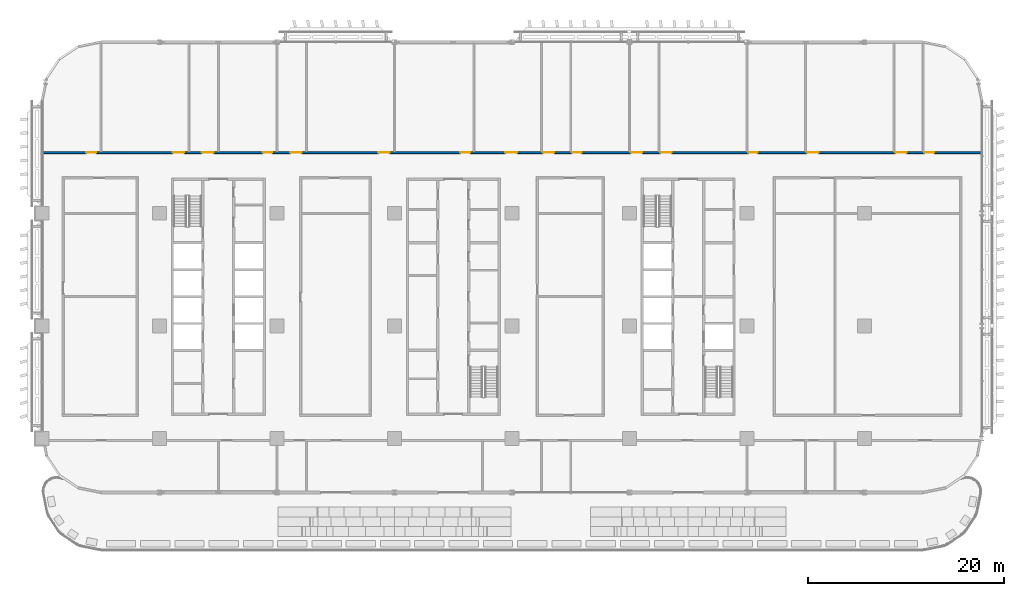
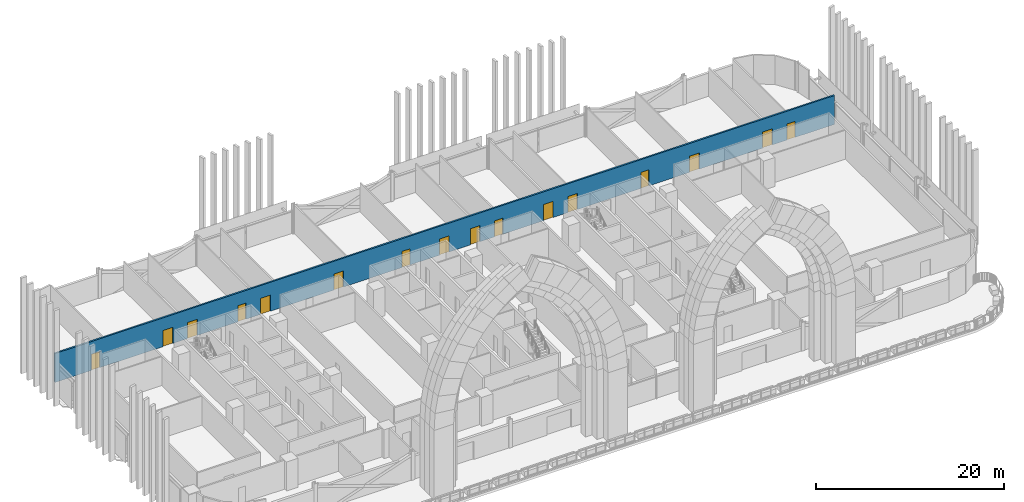
# One storey, part 13 of 31: 16 doors, 1 wall, 16 openings.
"""IFC4 building model written with IfcOpenShell, lengths in metres."""

from ifc_helpers import new_model, si_unit, direction, frame, frame_2d, origin, place, context, subcontext, project, spatial, rectangle, extrude, material, layer, layer_set, type_object, element, fill, save


model = new_model("IFC4")

# Units and contexts
model_context = context("Model", 3, precision=1e-05, world=origin(), true_north=direction((0.0, 1.0)))
body_context = subcontext(model_context, "Body", "Model", "MODEL_VIEW")
ifc_project = project(units=[si_unit("LENGTHUNIT", "METRE"), si_unit("AREAUNIT", "SQUARE_METRE"), si_unit("VOLUMEUNIT", "CUBIC_METRE"), si_unit("PLANEANGLEUNIT", "RADIAN"), si_unit("MASSUNIT", "GRAM", prefix="KILO")], contexts=[model_context])

# Site, building, storey
site_placement = place(None, origin())
site = spatial("IfcSite", under=ifc_project, at=site_placement, CompositionType="ELEMENT")
building_placement = place(site_placement, origin())
building = spatial("IfcBuilding", under=site, at=building_placement, Name="Mahtab Terrace Research Tower", CompositionType="ELEMENT")
storey_placement = place(building_placement, frame((0.0, 0.0, 84.800048828125)))
storey = spatial("IfcBuildingStorey", under=building, at=storey_placement, Name="L19", CompositionType="ELEMENT", Elevation=84.800048828125)

# Wall, openings, doors
ifc_material_1 = material(Name="Gypsum board corridor wall on steel studs", Category="steel")
ifc_layer = layer(ifc_material_1, 0.199951171875)
ifc_layer_set = layer_set([ifc_layer], Name="WALL CORRIDOR 200")
wall_type = type_object("IfcWallType", Name="WALL CORRIDOR 200", PredefinedType="PARTITIONING", material=ifc_layer_set)
wall_placement = place(storey_placement, frame((-41.97509765625, 17.699951171875, 0.0), z_axis=(0.0, 0.0, 1.0), x_axis=(1.0, 0.0, 0.0)))
wall = element("IfcWall", 1, at=wall_placement, inside=storey, type_object=wall_type, Name="L19-W024", PredefinedType="PARTITIONING", context=body_context, shape_type="SweptSolid", body=[
    extrude(rectangle(XDim=95.9501953125, YDim=0.199951171875, at=frame_2d((47.97509765625, 0.0))), origin(), (0.0, 0.0, 1.0), 3.760009765625),
])
opening_1_placement = place(wall_placement, frame((4.5, 0.0, 0.0)))
opening_1 = element("IfcOpeningElement", 2, at=opening_1_placement, cuts=wall, Name="Opening L19-123", PredefinedType="OPENING", context=body_context, shape_type="SweptSolid", body=[
    extrude(rectangle(XDim=1.0, YDim=2.10009765625, at=frame_2d((0.5, 1.050048828125))), frame((0.0, 0.10986328125, 0.0), z_axis=(0.0, -1.0, 0.0), x_axis=(1.0, 0.0, 0.0)), (0.0, 0.0, 1.0), 0.219970703125),
])
opening_2_placement = place(wall_placement, frame((13.300048828125, 0.0, 0.0)))
opening_2 = element("IfcOpeningElement", 3, at=opening_2_placement, cuts=wall, Name="Opening L19-124", PredefinedType="OPENING", context=body_context, shape_type="SweptSolid", body=[
    extrude(rectangle(XDim=1.199951171875, YDim=2.10009765625, at=frame_2d((0.60009765625, 1.050048828125))), frame((0.0, 0.10986328125, 0.0), z_axis=(0.0, -1.0, 0.0), x_axis=(1.0, 0.0, 0.0)), (0.0, 0.0, 1.0), 0.219970703125),
])
opening_3_placement = place(wall_placement, frame((16.300048828125, 0.0, 0.0)))
opening_3 = element("IfcOpeningElement", 4, at=opening_3_placement, cuts=wall, Name="Opening L19-125", PredefinedType="OPENING", context=body_context, shape_type="SweptSolid", body=[
    extrude(rectangle(XDim=1.199951171875, YDim=2.10009765625, at=frame_2d((0.60009765625, 1.050048828125))), frame((0.0, 0.10986328125, 0.0), z_axis=(0.0, -1.0, 0.0), x_axis=(1.0, 0.0, 0.0)), (0.0, 0.0, 1.0), 0.219970703125),
])
opening_4_placement = place(wall_placement, frame((22.5, 0.0, 0.0)))
opening_4 = element("IfcOpeningElement", 5, at=opening_4_placement, cuts=wall, Name="Opening L19-126", PredefinedType="OPENING", context=body_context, shape_type="SweptSolid", body=[
    extrude(rectangle(XDim=1.0, YDim=2.10009765625, at=frame_2d((0.5, 1.050048828125))), frame((0.0, 0.10986328125, 0.0), z_axis=(0.0, -1.0, 0.0), x_axis=(1.0, 0.0, 0.0)), (0.0, 0.0, 1.0), 0.219970703125),
])
opening_5_placement = place(wall_placement, frame((25.300048828125, 0.0, 0.0)))
opening_5 = element("IfcOpeningElement", 6, at=opening_5_placement, cuts=wall, Name="Opening L19-127", PredefinedType="OPENING", context=body_context, shape_type="SweptSolid", body=[
    extrude(rectangle(XDim=1.199951171875, YDim=2.10009765625, at=frame_2d((0.60009765625, 1.050048828125))), frame((0.0, 0.10986328125, 0.0), z_axis=(0.0, -1.0, 0.0), x_axis=(1.0, 0.0, 0.0)), (0.0, 0.0, 1.0), 0.219970703125),
])
opening_6_placement = place(wall_placement, frame((34.300048828125, 0.0, 0.0)))
opening_6 = element("IfcOpeningElement", 7, at=opening_6_placement, cuts=wall, Name="Opening L19-128", PredefinedType="OPENING", context=body_context, shape_type="SweptSolid", body=[
    extrude(rectangle(XDim=1.199951171875, YDim=2.10009765625, at=frame_2d((0.60009765625, 1.050048828125))), frame((0.0, 0.10986328125, 0.0), z_axis=(0.0, -1.0, 0.0), x_axis=(1.0, 0.0, 0.0)), (0.0, 0.0, 1.0), 0.219970703125),
])
opening_7_placement = place(wall_placement, frame((42.699951171875, 0.0, 0.0)))
opening_7 = element("IfcOpeningElement", 8, at=opening_7_placement, cuts=wall, Name="Opening L19-129", PredefinedType="OPENING", context=body_context, shape_type="SweptSolid", body=[
    extrude(rectangle(XDim=1.0, YDim=2.10009765625, at=frame_2d((0.5, 1.050048828125))), frame((0.0, 0.10986328125, 0.0), z_axis=(0.0, -1.0, 0.0), x_axis=(1.0, 0.0, 0.0)), (0.0, 0.0, 1.0), 0.219970703125),
])
opening_8_placement = place(wall_placement, frame((47.300048828125, 0.0, 0.0)))
opening_8 = element("IfcOpeningElement", 9, at=opening_8_placement, cuts=wall, Name="Opening L19-130", PredefinedType="OPENING", context=body_context, shape_type="SweptSolid", body=[
    extrude(rectangle(XDim=1.199951171875, YDim=2.10009765625, at=frame_2d((0.60009765625, 1.050048828125))), frame((0.0, 0.10986328125, 0.0), z_axis=(0.0, -1.0, 0.0), x_axis=(1.0, 0.0, 0.0)), (0.0, 0.0, 1.0), 0.219970703125),
])
opening_9_placement = place(wall_placement, frame((51.10009765625, 0.0, 0.0)))
opening_9 = element("IfcOpeningElement", 10, at=opening_9_placement, cuts=wall, Name="Opening L19-131", PredefinedType="OPENING", context=body_context, shape_type="SweptSolid", body=[
    extrude(rectangle(XDim=1.199951171875, YDim=2.10009765625, at=frame_2d((0.60009765625, 1.050048828125))), frame((0.0, 0.10986328125, 0.0), z_axis=(0.0, -1.0, 0.0), x_axis=(1.0, 0.0, 0.0)), (0.0, 0.0, 1.0), 0.219970703125),
])
opening_10_placement = place(wall_placement, frame((54.10009765625, 0.0, 0.0)))
opening_10 = element("IfcOpeningElement", 11, at=opening_10_placement, cuts=wall, Name="Opening L19-132", PredefinedType="OPENING", context=body_context, shape_type="SweptSolid", body=[
    extrude(rectangle(XDim=1.0, YDim=2.10009765625, at=frame_2d((0.5, 1.050048828125))), frame((0.0, 0.10986328125, 0.0), z_axis=(0.0, -1.0, 0.0), x_axis=(1.0, 0.0, 0.0)), (0.0, 0.0, 1.0), 0.219970703125),
])
opening_11_placement = place(wall_placement, frame((60.10009765625, 0.0, 0.0)))
opening_11 = element("IfcOpeningElement", 12, at=opening_11_placement, cuts=wall, Name="Opening L19-133", PredefinedType="OPENING", context=body_context, shape_type="SweptSolid", body=[
    extrude(rectangle(XDim=1.199951171875, YDim=2.10009765625, at=frame_2d((0.60009765625, 1.050048828125))), frame((0.0, 0.10986328125, 0.0), z_axis=(0.0, -1.0, 0.0), x_axis=(1.0, 0.0, 0.0)), (0.0, 0.0, 1.0), 0.219970703125),
])
opening_12_placement = place(wall_placement, frame((63.10009765625, 0.0, 0.0)))
opening_12 = element("IfcOpeningElement", 13, at=opening_12_placement, cuts=wall, Name="Opening L19-134", PredefinedType="OPENING", context=body_context, shape_type="SweptSolid", body=[
    extrude(rectangle(XDim=1.199951171875, YDim=2.10009765625, at=frame_2d((0.60009765625, 1.050048828125))), frame((0.0, 0.10986328125, 0.0), z_axis=(0.0, -1.0, 0.0), x_axis=(1.0, 0.0, 0.0)), (0.0, 0.0, 1.0), 0.219970703125),
])
opening_13_placement = place(wall_placement, frame((72.10009765625, 0.0, 0.0)))
opening_13 = element("IfcOpeningElement", 14, at=opening_13_placement, cuts=wall, Name="Opening L19-135", PredefinedType="OPENING", context=body_context, shape_type="SweptSolid", body=[
    extrude(rectangle(XDim=1.0, YDim=2.10009765625, at=frame_2d((0.5, 1.050048828125))), frame((0.0, 0.10986328125, 0.0), z_axis=(0.0, -1.0, 0.0), x_axis=(1.0, 0.0, 0.0)), (0.0, 0.0, 1.0), 0.219970703125),
])
opening_14_placement = place(wall_placement, frame((78.10009765625, 0.0, 0.0)))
opening_14 = element("IfcOpeningElement", 15, at=opening_14_placement, cuts=wall, Name="Opening L19-136", PredefinedType="OPENING", context=body_context, shape_type="SweptSolid", body=[
    extrude(rectangle(XDim=1.199951171875, YDim=2.10009765625, at=frame_2d((0.60009765625, 1.050048828125))), frame((0.0, 0.10986328125, 0.0), z_axis=(0.0, -1.0, 0.0), x_axis=(1.0, 0.0, 0.0)), (0.0, 0.0, 1.0), 0.219970703125),
])
opening_15_placement = place(wall_placement, frame((87.10009765625, 0.0, 0.0)))
opening_15 = element("IfcOpeningElement", 16, at=opening_15_placement, cuts=wall, Name="Opening L19-137", PredefinedType="OPENING", context=body_context, shape_type="SweptSolid", body=[
    extrude(rectangle(XDim=1.199951171875, YDim=2.10009765625, at=frame_2d((0.60009765625, 1.050048828125))), frame((0.0, 0.10986328125, 0.0), z_axis=(0.0, -1.0, 0.0), x_axis=(1.0, 0.0, 0.0)), (0.0, 0.0, 1.0), 0.219970703125),
])
opening_16_placement = place(wall_placement, frame((90.10009765625, 0.0, 0.0)))
opening_16 = element("IfcOpeningElement", 17, at=opening_16_placement, cuts=wall, Name="Opening L19-138", PredefinedType="OPENING", context=body_context, shape_type="SweptSolid", body=[
    extrude(rectangle(XDim=1.0, YDim=2.10009765625, at=frame_2d((0.5, 1.050048828125))), frame((0.0, 0.10986328125, 0.0), z_axis=(0.0, -1.0, 0.0), x_axis=(1.0, 0.0, 0.0)), (0.0, 0.0, 1.0), 0.219970703125),
])
ifc_material_2 = material(Name="Timber door leaf in steel frame", Category="steel")
door_type_1 = type_object("IfcDoorType", Name="DOOR 1000X2100 FD30S", OperationType="SINGLE_SWING_LEFT", PredefinedType="DOOR", material=ifc_material_2)
door_1_placement = place(opening_1_placement, origin())
door_1 = element("IfcDoor", 18, at=door_1_placement, inside=storey, type_object=door_type_1, Name="Door L19-123", OperationType="SINGLE_SWING_LEFT", OverallHeight=2.10009765625, OverallWidth=1.0, PredefinedType="DOOR", context=body_context, shape_type="SweptSolid", body=[
    extrude(rectangle(XDim=1.0, YDim=2.10009765625, at=frame_2d((0.5, 1.050048828125))), frame((0.0, 0.02490234375, 0.0), z_axis=(0.0, -1.0, 0.0), x_axis=(1.0, 0.0, 0.0)), (0.0, 0.0, 1.0), 0.050048828125),
])
fill(opening_1, door_1)
door_2_placement = place(opening_4_placement, origin())
door_2 = element("IfcDoor", 19, at=door_2_placement, inside=storey, type_object=door_type_1, Name="Door L19-126", OperationType="SINGLE_SWING_LEFT", OverallHeight=2.10009765625, OverallWidth=1.0, PredefinedType="DOOR", context=body_context, shape_type="SweptSolid", body=[
    extrude(rectangle(XDim=1.0, YDim=2.10009765625, at=frame_2d((0.5, 1.050048828125))), frame((0.0, 0.02490234375, 0.0), z_axis=(0.0, -1.0, 0.0), x_axis=(1.0, 0.0, 0.0)), (0.0, 0.0, 1.0), 0.050048828125),
])
fill(opening_4, door_2)
door_3_placement = place(opening_7_placement, origin())
door_3 = element("IfcDoor", 20, at=door_3_placement, inside=storey, type_object=door_type_1, Name="Door L19-129", OperationType="SINGLE_SWING_LEFT", OverallHeight=2.10009765625, OverallWidth=1.0, PredefinedType="DOOR", context=body_context, shape_type="SweptSolid", body=[
    extrude(rectangle(XDim=1.0, YDim=2.10009765625, at=frame_2d((0.5, 1.050048828125))), frame((0.0, 0.02490234375, 0.0), z_axis=(0.0, -1.0, 0.0), x_axis=(1.0, 0.0, 0.0)), (0.0, 0.0, 1.0), 0.050048828125),
])
fill(opening_7, door_3)
door_4_placement = place(opening_10_placement, origin())
door_4 = element("IfcDoor", 21, at=door_4_placement, inside=storey, type_object=door_type_1, Name="Door L19-132", OperationType="SINGLE_SWING_RIGHT", OverallHeight=2.10009765625, OverallWidth=1.0, PredefinedType="DOOR", context=body_context, shape_type="SweptSolid", body=[
    extrude(rectangle(XDim=1.0, YDim=2.10009765625, at=frame_2d((0.5, 1.050048828125))), frame((0.0, 0.02490234375, 0.0), z_axis=(0.0, -1.0, 0.0), x_axis=(1.0, 0.0, 0.0)), (0.0, 0.0, 1.0), 0.050048828125),
])
fill(opening_10, door_4)
door_5_placement = place(opening_13_placement, origin())
door_5 = element("IfcDoor", 22, at=door_5_placement, inside=storey, type_object=door_type_1, Name="Door L19-135", OperationType="SINGLE_SWING_RIGHT", OverallHeight=2.10009765625, OverallWidth=1.0, PredefinedType="DOOR", context=body_context, shape_type="SweptSolid", body=[
    extrude(rectangle(XDim=1.0, YDim=2.10009765625, at=frame_2d((0.5, 1.050048828125))), frame((0.0, 0.02490234375, 0.0), z_axis=(0.0, -1.0, 0.0), x_axis=(1.0, 0.0, 0.0)), (0.0, 0.0, 1.0), 0.050048828125),
])
fill(opening_13, door_5)
door_6_placement = place(opening_16_placement, origin())
door_6 = element("IfcDoor", 23, at=door_6_placement, inside=storey, type_object=door_type_1, Name="Door L19-138", OperationType="SINGLE_SWING_RIGHT", OverallHeight=2.10009765625, OverallWidth=1.0, PredefinedType="DOOR", context=body_context, shape_type="SweptSolid", body=[
    extrude(rectangle(XDim=1.0, YDim=2.10009765625, at=frame_2d((0.5, 1.050048828125))), frame((0.0, 0.02490234375, 0.0), z_axis=(0.0, -1.0, 0.0), x_axis=(1.0, 0.0, 0.0)), (0.0, 0.0, 1.0), 0.050048828125),
])
fill(opening_16, door_6)
door_type_2 = type_object("IfcDoorType", Name="DOOR 1200X2100 FD30S", OperationType="SINGLE_SWING_LEFT", PredefinedType="DOOR", material=ifc_material_2)
door_7_placement = place(opening_2_placement, origin())
door_7 = element("IfcDoor", 24, at=door_7_placement, inside=storey, type_object=door_type_2, Name="Door L19-124", OperationType="SINGLE_SWING_LEFT", OverallHeight=2.10009765625, OverallWidth=1.199951171875, PredefinedType="DOOR", context=body_context, shape_type="SweptSolid", body=[
    extrude(rectangle(XDim=1.199951171875, YDim=2.10009765625, at=frame_2d((0.60009765625, 1.050048828125))), frame((0.0, 0.02490234375, 0.0), z_axis=(0.0, -1.0, 0.0), x_axis=(1.0, 0.0, 0.0)), (0.0, 0.0, 1.0), 0.050048828125),
])
fill(opening_2, door_7)
door_8_placement = place(opening_3_placement, origin())
door_8 = element("IfcDoor", 25, at=door_8_placement, inside=storey, type_object=door_type_2, Name="Door L19-125", OperationType="SINGLE_SWING_LEFT", OverallHeight=2.10009765625, OverallWidth=1.199951171875, PredefinedType="DOOR", context=body_context, shape_type="SweptSolid", body=[
    extrude(rectangle(XDim=1.199951171875, YDim=2.10009765625, at=frame_2d((0.60009765625, 1.050048828125))), frame((0.0, 0.02490234375, 0.0), z_axis=(0.0, -1.0, 0.0), x_axis=(1.0, 0.0, 0.0)), (0.0, 0.0, 1.0), 0.050048828125),
])
fill(opening_3, door_8)
door_9_placement = place(opening_5_placement, origin())
door_9 = element("IfcDoor", 26, at=door_9_placement, inside=storey, type_object=door_type_2, Name="Door L19-127", OperationType="SINGLE_SWING_LEFT", OverallHeight=2.10009765625, OverallWidth=1.199951171875, PredefinedType="DOOR", context=body_context, shape_type="SweptSolid", body=[
    extrude(rectangle(XDim=1.199951171875, YDim=2.10009765625, at=frame_2d((0.60009765625, 1.050048828125))), frame((0.0, 0.02490234375, 0.0), z_axis=(0.0, -1.0, 0.0), x_axis=(1.0, 0.0, 0.0)), (0.0, 0.0, 1.0), 0.050048828125),
])
fill(opening_5, door_9)
door_10_placement = place(opening_6_placement, origin())
door_10 = element("IfcDoor", 27, at=door_10_placement, inside=storey, type_object=door_type_2, Name="Door L19-128", OperationType="SINGLE_SWING_LEFT", OverallHeight=2.10009765625, OverallWidth=1.199951171875, PredefinedType="DOOR", context=body_context, shape_type="SweptSolid", body=[
    extrude(rectangle(XDim=1.199951171875, YDim=2.10009765625, at=frame_2d((0.60009765625, 1.050048828125))), frame((0.0, 0.02490234375, 0.0), z_axis=(0.0, -1.0, 0.0), x_axis=(1.0, 0.0, 0.0)), (0.0, 0.0, 1.0), 0.050048828125),
])
fill(opening_6, door_10)
door_11_placement = place(opening_8_placement, origin())
door_11 = element("IfcDoor", 28, at=door_11_placement, inside=storey, type_object=door_type_2, Name="Door L19-130", OperationType="SINGLE_SWING_RIGHT", OverallHeight=2.10009765625, OverallWidth=1.199951171875, PredefinedType="DOOR", context=body_context, shape_type="SweptSolid", body=[
    extrude(rectangle(XDim=1.199951171875, YDim=2.10009765625, at=frame_2d((0.60009765625, 1.050048828125))), frame((0.0, 0.02490234375, 0.0), z_axis=(0.0, -1.0, 0.0), x_axis=(1.0, 0.0, 0.0)), (0.0, 0.0, 1.0), 0.050048828125),
])
fill(opening_8, door_11)
door_12_placement = place(opening_9_placement, origin())
door_12 = element("IfcDoor", 29, at=door_12_placement, inside=storey, type_object=door_type_2, Name="Door L19-131", OperationType="SINGLE_SWING_RIGHT", OverallHeight=2.10009765625, OverallWidth=1.199951171875, PredefinedType="DOOR", context=body_context, shape_type="SweptSolid", body=[
    extrude(rectangle(XDim=1.199951171875, YDim=2.10009765625, at=frame_2d((0.60009765625, 1.050048828125))), frame((0.0, 0.02490234375, 0.0), z_axis=(0.0, -1.0, 0.0), x_axis=(1.0, 0.0, 0.0)), (0.0, 0.0, 1.0), 0.050048828125),
])
fill(opening_9, door_12)
door_13_placement = place(opening_11_placement, origin())
door_13 = element("IfcDoor", 30, at=door_13_placement, inside=storey, type_object=door_type_2, Name="Door L19-133", OperationType="SINGLE_SWING_RIGHT", OverallHeight=2.10009765625, OverallWidth=1.199951171875, PredefinedType="DOOR", context=body_context, shape_type="SweptSolid", body=[
    extrude(rectangle(XDim=1.199951171875, YDim=2.10009765625, at=frame_2d((0.60009765625, 1.050048828125))), frame((0.0, 0.02490234375, 0.0), z_axis=(0.0, -1.0, 0.0), x_axis=(1.0, 0.0, 0.0)), (0.0, 0.0, 1.0), 0.050048828125),
])
fill(opening_11, door_13)
door_14_placement = place(opening_12_placement, origin())
door_14 = element("IfcDoor", 31, at=door_14_placement, inside=storey, type_object=door_type_2, Name="Door L19-134", OperationType="SINGLE_SWING_RIGHT", OverallHeight=2.10009765625, OverallWidth=1.199951171875, PredefinedType="DOOR", context=body_context, shape_type="SweptSolid", body=[
    extrude(rectangle(XDim=1.199951171875, YDim=2.10009765625, at=frame_2d((0.60009765625, 1.050048828125))), frame((0.0, 0.02490234375, 0.0), z_axis=(0.0, -1.0, 0.0), x_axis=(1.0, 0.0, 0.0)), (0.0, 0.0, 1.0), 0.050048828125),
])
fill(opening_12, door_14)
door_15_placement = place(opening_14_placement, origin())
door_15 = element("IfcDoor", 32, at=door_15_placement, inside=storey, type_object=door_type_2, Name="Door L19-136", OperationType="SINGLE_SWING_RIGHT", OverallHeight=2.10009765625, OverallWidth=1.199951171875, PredefinedType="DOOR", context=body_context, shape_type="SweptSolid", body=[
    extrude(rectangle(XDim=1.199951171875, YDim=2.10009765625, at=frame_2d((0.60009765625, 1.050048828125))), frame((0.0, 0.02490234375, 0.0), z_axis=(0.0, -1.0, 0.0), x_axis=(1.0, 0.0, 0.0)), (0.0, 0.0, 1.0), 0.050048828125),
])
fill(opening_14, door_15)
door_16_placement = place(opening_15_placement, origin())
door_16 = element("IfcDoor", 33, at=door_16_placement, inside=storey, type_object=door_type_2, Name="Door L19-137", OperationType="SINGLE_SWING_RIGHT", OverallHeight=2.10009765625, OverallWidth=1.199951171875, PredefinedType="DOOR", context=body_context, shape_type="SweptSolid", body=[
    extrude(rectangle(XDim=1.199951171875, YDim=2.10009765625, at=frame_2d((0.60009765625, 1.050048828125))), frame((0.0, 0.02490234375, 0.0), z_axis=(0.0, -1.0, 0.0), x_axis=(1.0, 0.0, 0.0)), (0.0, 0.0, 1.0), 0.050048828125),
])
fill(opening_15, door_16)

save(model, "model.ifc")
